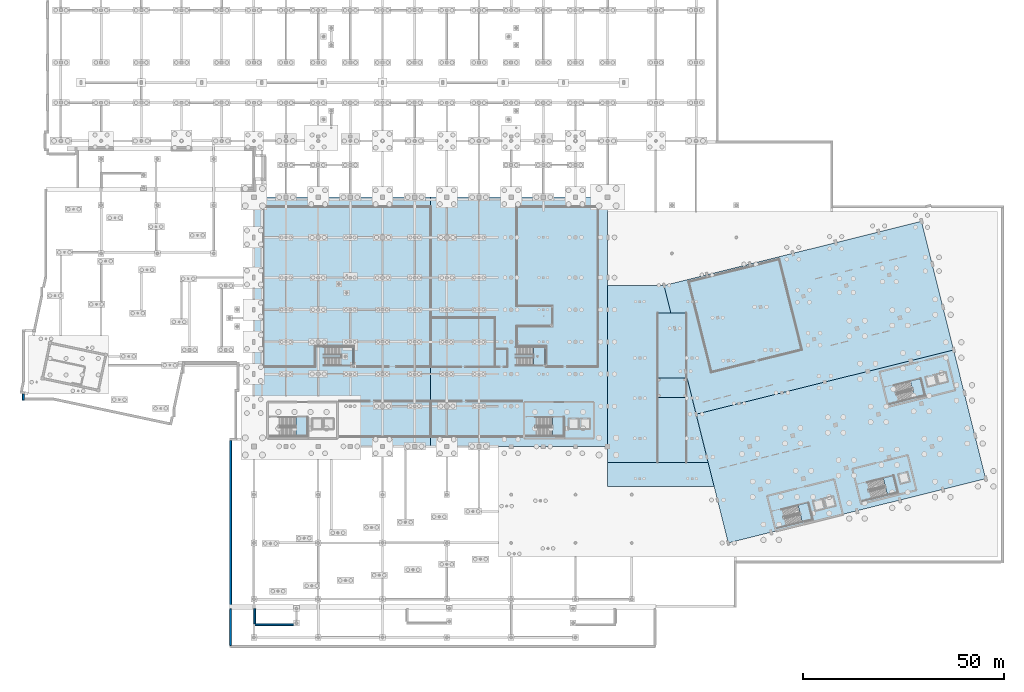
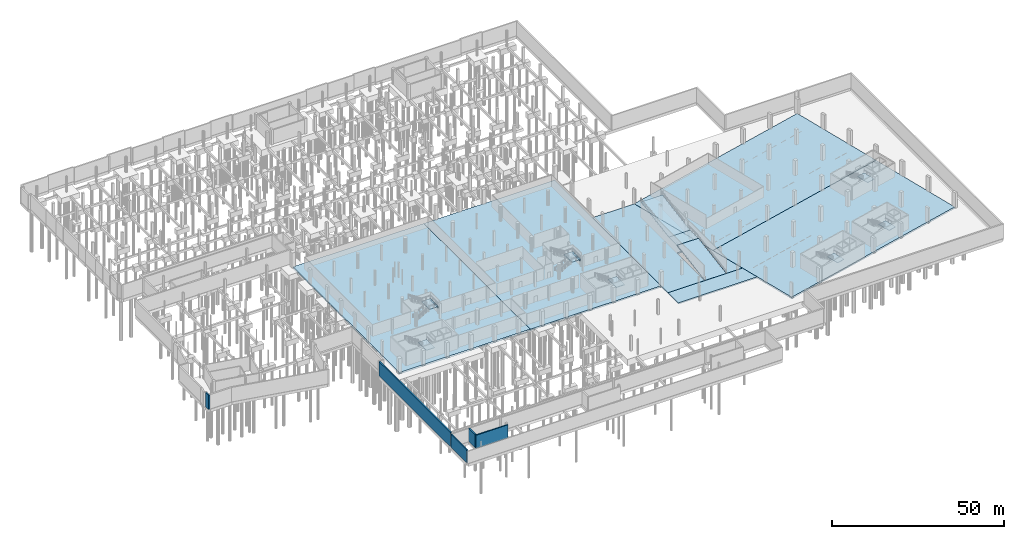
# One storey, part 47 of 65: 16 slabs, 5 walls, 2 beams, 7 elements without a shape of their own.
"""IFC4 building model written with IfcOpenShell, lengths in metres."""

from ifc_helpers import new_model, si_unit, direction, frame, frame_2d, origin, origin_2d, place, context, subcontext, project, spatial, polyline, rectangle, i_section, outline, extrude, material, layer, layer_set, material_profile, profile_set, type_object, element, aggregate, save


model = new_model("IFC4")

# Units and contexts
model_context = context("Model", 3, precision=1e-05, world=origin(), true_north=direction((0.0, 1.0)))
body_context = subcontext(model_context, "Body", "Model", "MODEL_VIEW")
ifc_project = project(units=[si_unit("LENGTHUNIT", "METRE"), si_unit("AREAUNIT", "SQUARE_METRE"), si_unit("VOLUMEUNIT", "CUBIC_METRE"), si_unit("PLANEANGLEUNIT", "RADIAN"), si_unit("MASSUNIT", "GRAM", prefix="KILO")], contexts=[model_context])

# Site, building, storey
site_placement = place(None, origin())
site = spatial("IfcSite", under=ifc_project, at=site_placement, CompositionType="ELEMENT")
building_placement = place(site_placement, origin())
building = spatial("IfcBuilding", under=site, at=building_placement, Name="Khorjan Park Terminus", CompositionType="ELEMENT")
storey_placement = place(building_placement, frame((0.0, 0.0, -5.4)))
storey = spatial("IfcBuildingStorey", under=building, at=storey_placement, Name="B1", CompositionType="ELEMENT", Elevation=-5.4)

# Beams
ifc_material_1 = material(Name="Steel S355", Category="steel")
ifc_material_profile = material_profile(ifc_material_1, i_section(OverallWidth=0.3, OverallDepth=0.39, WebThickness=0.011, FlangeThickness=0.019, FilletRadius=0.027, at=origin_2d()), Name="HEA 400")
ifc_profile_set = profile_set([ifc_material_profile], Name="Steel S355")
beam_type = type_object("IfcBeamType", Name="BM-HEA400", PredefinedType="BEAM", material=ifc_profile_set)
for number, where, z_axis, x_axis, name in (
    (1, (72.65, 46.22, 2.305), (0.0, 1.0, 0.0), (-1.0, 0.0, 0.0), "Stair CS-01 half-landing support beam SB-A40"),
    (2, (120.45, 46.22, 2.305), (0.0, 1.0, 0.0), (-1.0, 0.0, 0.0), "Stair CS-02 half-landing support beam SB-A40"),
):
    element("IfcBeam", number, at=place(storey_placement, frame(where, z_axis=z_axis, x_axis=x_axis)), inside=storey, type_object=beam_type, Name=name, PredefinedType="BEAM", context=body_context, shape_type="SweptSolid", body=[
        extrude(i_section(OverallWidth=0.3, OverallDepth=0.39, WebThickness=0.011, FlangeThickness=0.019, FilletRadius=0.027, at=origin_2d()), origin(), (0.0, 0.0, 1.0), 4.36),
    ])

# Slabs
ifc_material_2 = material(Name="Concrete C40/50", Category="concrete")
ifc_layer_1 = layer(ifc_material_2, 0.48)
ifc_layer_set_1 = layer_set([ifc_layer_1], Name="Concrete C40/50")
slab_type_1 = type_object("IfcSlabType", Name="SL-BASE-480", PredefinedType="BASESLAB", material=ifc_layer_set_1)
slab_1_placement = place(storey_placement, frame((0.0, 0.0, -0.48)))
element("IfcSlab", 3, at=slab_1_placement, inside=storey, type_object=slab_type_1, Name="Structural floor slab BS-48 (B1-V2V5-LNK-1)", PredefinedType="BASESLAB", context=body_context, shape_type="SweptSolid", body=[
    extrude(outline(polyline([(162.4991, 16.0), (136.0, 16.0), (136.0, 21.988), (161.0061, 21.988), (162.4991, 16.0)])), origin(), (0.0, 0.0, 1.0), 0.48),
])
slab_2_placement = place(storey_placement, frame((0.0, 0.0, -0.48)))
element("IfcSlab", 4, at=slab_2_placement, inside=storey, type_object=slab_type_1, Name="Structural floor slab BS-48 (B1-V2V5-LNK-2)", PredefinedType="BASESLAB", context=body_context, shape_type="SweptSolid", body=[
    extrude(outline(polyline([(150.0327, 66.0), (161.0056, 21.99), (155.61, 21.99), (155.61, 38.21), (148.39, 38.21), (148.39, 21.99), (136.0, 21.99), (136.0, 66.0), (150.0327, 66.0)])), origin(), (0.0, 0.0, 1.0), 0.48),
])
ifc_layer_2 = layer(ifc_material_2, 0.54)
ifc_layer_set_2 = layer_set([ifc_layer_2], Name="Concrete C40/50")
slab_type_2 = type_object("IfcSlabType", Name="SL-BASE-540", PredefinedType="BASESLAB", material=ifc_layer_set_2)
slab_3_placement = place(storey_placement, frame((0.0, 0.0, -0.54)))
element("IfcSlab", 5, at=slab_3_placement, inside=storey, type_object=slab_type_2, Name="Structural floor slab BS-54 (B1-V2-E)", PredefinedType="BASESLAB", context=body_context, shape_type="SweptSolid", body=[
    extrude(outline(polyline([(92.0, 26.0), (136.0, 26.0), (136.0, 88.0), (92.0, 88.0), (92.0, 26.0)])), origin(), (0.0, 0.0, 1.0), 0.54),
])
slab_4_placement = place(storey_placement, frame((0.0, 0.0, -0.54)))
element("IfcSlab", 6, at=slab_4_placement, inside=storey, type_object=slab_type_2, Name="Structural floor slab BS-54 (B1-V5-N)", PredefinedType="BASESLAB", context=body_context, shape_type="SweptSolid", body=[
    extrude(outline(polyline([(158.0166, 34.0198), (222.0561, 49.9866), (214.0727, 82.0064), (150.0332, 66.0395), (158.0166, 34.0198)])), origin(), (0.0, 0.0, 1.0), 0.54),
])
ifc_layer_3 = layer(ifc_material_2, 0.6)
ifc_layer_set_3 = layer_set([ifc_layer_3], Name="Concrete C40/50")
slab_type_3 = type_object("IfcSlabType", Name="SL-BASE-600", PredefinedType="BASESLAB", material=ifc_layer_set_3)
slab_5_placement = place(storey_placement, frame((0.0, 0.0, -0.6)))
element("IfcSlab", 7, at=slab_5_placement, inside=storey, type_object=slab_type_3, Name="Structural floor slab BS-60 (B1-V2-W)", PredefinedType="BASESLAB", context=body_context, shape_type="SweptSolid", body=[
    extrude(outline(polyline([(48.0, 26.0), (92.0, 26.0), (92.0, 88.0), (48.0, 88.0), (48.0, 26.0)])), origin(), (0.0, 0.0, 1.0), 0.6),
])
slab_6_placement = place(storey_placement, frame((0.0, 0.0, -0.6)))
element("IfcSlab", 8, at=slab_6_placement, inside=storey, type_object=slab_type_3, Name="Structural floor slab BS-60 (B1-V5-S)", PredefinedType="BASESLAB", context=body_context, shape_type="SweptSolid", body=[
    extrude(outline(polyline([(166.0, 2.0), (230.0395, 17.9668), (222.0561, 49.9866), (158.0166, 34.0198), (166.0, 2.0)])), origin(), (0.0, 0.0, 1.0), 0.6),
])

# Stair, slab
stair_type_1 = type_object("IfcStairType", Name="STR-CORE-220", PredefinedType="HALF_TURN_STAIR", material=ifc_material_2)
stair_1_placement = place(storey_placement, origin())
stair_1 = element("IfcStair", 9, at=stair_1_placement, inside=storey, type_object=stair_type_1, Name="B1 West Concourse Core exit stair ST-01", PredefinedType="HALF_TURN_STAIR")
ifc_layer_4 = layer(ifc_material_2, 0.2)
ifc_layer_set_4 = layer_set([ifc_layer_4], Name="Concrete C40/50")
slab_type_4 = type_object("IfcSlabType", Name="SL-LND-200", PredefinedType="LANDING", material=ifc_layer_set_4)
slab_7_placement = place(storey_placement, frame((0.0, 0.0, 2.5)))
slab_7 = element("IfcSlab", 10, at=slab_7_placement, type_object=slab_type_4, Name="ST-01 landing 1", PredefinedType="LANDING", context=body_context, shape_type="SweptSolid", body=[
    extrude(outline(polyline([(58.52, 28.55), (61.4, 28.55), (61.4, 33.31), (58.52, 33.31), (58.52, 28.55)])), origin(), (0.0, 0.0, 1.0), 0.2),
])
aggregate(stair_1, [slab_7])

stair_2_placement = place(storey_placement, origin())
stair_2 = element("IfcStair", 11, at=stair_2_placement, inside=storey, type_object=stair_type_1, Name="B1 East Concourse Core exit stair ST-02", PredefinedType="HALF_TURN_STAIR")
slab_8_placement = place(storey_placement, frame((0.0, 0.0, 2.5)))
slab_8 = element("IfcSlab", 12, at=slab_8_placement, type_object=slab_type_4, Name="ST-02 landing 1", PredefinedType="LANDING", context=body_context, shape_type="SweptSolid", body=[
    extrude(outline(polyline([(122.32, 28.55), (125.2, 28.55), (125.2, 33.31), (122.32, 33.31), (122.32, 28.55)])), origin(), (0.0, 0.0, 1.0), 0.2),
])
aggregate(stair_2, [slab_8])

stair_type_2 = type_object("IfcStairType", Name="STR-CORE-200", PredefinedType="HALF_TURN_STAIR", material=ifc_material_2)
stair_3_placement = place(storey_placement, origin())
stair_3 = element("IfcStair", 13, at=stair_3_placement, inside=storey, type_object=stair_type_2, Name="B1 Operations West Firefighting Core exit stair ST-03", PredefinedType="HALF_TURN_STAIR")
slab_9_placement = place(storey_placement, frame((0.0, 0.0, 2.5)))
slab_9 = element("IfcSlab", 14, at=slab_9_placement, type_object=slab_type_4, Name="ST-03 landing 1", PredefinedType="LANDING", context=body_context, shape_type="SweptSolid", body=[
    extrude(outline(polyline([(184.419, 7.1591), (187.0194, 7.8075), (185.9646, 12.038), (183.3642, 11.3896), (184.419, 7.1591)])), origin(), (0.0, 0.0, 1.0), 0.2),
])
aggregate(stair_3, [slab_9])

stair_4_placement = place(storey_placement, origin())
stair_4 = element("IfcStair", 15, at=stair_4_placement, inside=storey, type_object=stair_type_2, Name="B1 Operations North-East Firefighting Core exit stair ST-04", PredefinedType="HALF_TURN_STAIR")
slab_10_placement = place(storey_placement, frame((0.0, 0.0, 2.5)))
slab_10 = element("IfcSlab", 16, at=slab_10_placement, type_object=slab_type_4, Name="ST-04 landing 1", PredefinedType="LANDING", context=body_context, shape_type="SweptSolid", body=[
    extrude(outline(polyline([(212.3787, 38.0405), (214.9791, 38.6889), (213.9243, 42.9194), (211.3239, 42.271), (212.3787, 38.0405)])), origin(), (0.0, 0.0, 1.0), 0.2),
])
aggregate(stair_4, [slab_10])

stair_5_placement = place(storey_placement, origin())
stair_5 = element("IfcStair", 17, at=stair_5_placement, inside=storey, type_object=stair_type_2, Name="B1 Operations Central Command Core exit stair ST-05", PredefinedType="HALF_TURN_STAIR")
slab_11_placement = place(storey_placement, frame((0.0, 0.0, 2.5)))
slab_11 = element("IfcSlab", 18, at=slab_11_placement, type_object=slab_type_4, Name="ST-05 landing 1", PredefinedType="LANDING", context=body_context, shape_type="SweptSolid", body=[
    extrude(outline(polyline([(205.6209, 13.8882), (208.2213, 14.5366), (207.1665, 18.7671), (204.5661, 18.1187), (205.6209, 13.8882)])), origin(), (0.0, 0.0, 1.0), 0.2),
])
aggregate(stair_5, [slab_11])

stair_type_3 = type_object("IfcStairType", Name="STR-PUB-200", PredefinedType="HALF_TURN_STAIR", material=ifc_material_2)
stair_6_placement = place(storey_placement, origin())
stair_6 = element("IfcStair", 19, at=stair_6_placement, inside=storey, type_object=stair_type_3, Name="Public passenger half-turn stair CS-01", PredefinedType="HALF_TURN_STAIR")
slab_12_placement = place(storey_placement, frame((0.0, 0.0, 2.5)))
slab_12 = element("IfcSlab", 20, at=slab_12_placement, type_object=slab_type_4, Name="Stair CS-01 intermediate half-landing LS-20", PredefinedType="LANDING", context=body_context, shape_type="SweptSolid", body=[
    extrude(outline(polyline([(69.735, 46.06), (72.78, 46.06), (72.78, 50.74), (69.735, 50.74), (69.735, 46.06)])), origin(), (0.0, 0.0, 1.0), 0.2),
])
aggregate(stair_6, [slab_12])

stair_7_placement = place(storey_placement, origin())
stair_7 = element("IfcStair", 21, at=stair_7_placement, inside=storey, type_object=stair_type_3, Name="Public passenger half-turn stair CS-02", PredefinedType="HALF_TURN_STAIR")
slab_13_placement = place(storey_placement, frame((0.0, 0.0, 2.5)))
slab_13 = element("IfcSlab", 22, at=slab_13_placement, type_object=slab_type_4, Name="Stair CS-02 intermediate half-landing LS-20", PredefinedType="LANDING", context=body_context, shape_type="SweptSolid", body=[
    extrude(outline(polyline([(117.535, 46.06), (120.58, 46.06), (120.58, 50.74), (117.535, 50.74), (117.535, 46.06)])), origin(), (0.0, 0.0, 1.0), 0.2),
])
aggregate(stair_7, [slab_13])

# Slabs
ifc_layer_5 = layer(ifc_material_2, 0.22)
ifc_layer_set_5 = layer_set([ifc_layer_5], Name="Concrete C40/50")
slab_type_5 = type_object("IfcSlabType", Name="SL-LND-220", PredefinedType="LANDING", material=ifc_layer_set_5)
slab_14_placement = place(storey_placement, frame((0.0, 0.0, 2.48)))
element("IfcSlab", 23, at=slab_14_placement, inside=storey, type_object=slab_type_5, Name="Car Park Vehicle Ramp Intermediate Landing Slab LS-22", PredefinedType="LANDING", context=body_context, shape_type="SweptSolid", body=[
    extrude(outline(polyline([(148.4, 38.2), (155.6, 38.2), (155.6, 43.0), (148.4, 43.0), (148.4, 38.2)])), origin(), (0.0, 0.0, 1.0), 0.22),
])
ifc_layer_6 = layer(ifc_material_2, 0.3)
ifc_layer_set_6 = layer_set([ifc_layer_6], Name="Concrete C40/50")
slab_type_6 = type_object("IfcSlabType", Name="SL-RMP-300", PredefinedType="FLOOR", material=ifc_layer_set_6)
for number, where, z_axis, x_axis, name in (
    (24, (148.4, 22.0, 0.0), (0.0, -0.164398987305, 0.986393923832), (1.0, 0.0, 0.0), "Car Park Vehicle Ramp Slab VR-01 (Lower)"),
    (25, (148.4, 43.0, 2.7), (0.0, -0.164398987305, 0.986393923832), (1.0, 0.0, 0.0), "Car Park Vehicle Ramp Slab VR-01 (Upper)"),
):
    element("IfcSlab", number, at=place(storey_placement, frame(where, z_axis=z_axis, x_axis=x_axis)), inside=storey, type_object=slab_type_6, Name=name, PredefinedType="FLOOR", context=body_context, shape_type="SweptSolid", body=[
        extrude(outline(polyline([(0.0, 0.0), (7.199999999999989, 0.0), (7.199999999999989, 16.4234588318052), (0.0, 16.4234588318052), (0.0, 0.0)])), origin(), (0.0, 0.0, -1.0), 0.3),
    ])

# Walls
ifc_layer_7 = layer(ifc_material_2, 0.42)
ifc_layer_set_7 = layer_set([ifc_layer_7], Name="Concrete C40/50")
wall_type_1 = type_object("IfcWallType", Name="RW-42", PredefinedType="SOLIDWALL", material=ifc_layer_set_7)
wall_1_placement = place(storey_placement, frame((42.21, -23.58, 0.0), z_axis=(0.0, 0.0, 1.0), x_axis=(0.0, 1.0, 0.0)))
element("IfcWall", 26, at=wall_1_placement, inside=storey, type_object=wall_type_1, Name="Grade approach concrete retaining wall RW-42 (76)", PredefinedType="SOLIDWALL", context=body_context, shape_type="SweptSolid", body=[
    extrude(rectangle(XDim=9.14, YDim=0.42, at=frame_2d((4.57, 0.0))), origin(), (0.0, 0.0, 1.0), 4.68),
])
wall_2_placement = place(storey_placement, frame((48.0, -18.35, 0.0), z_axis=(0.0, 0.0, 1.0), x_axis=(1.0, 0.0, 0.0)))
element("IfcWall", 27, at=wall_2_placement, inside=storey, type_object=wall_type_1, Name="Ramp foundation stem wall RW-42 (GRMP-S-W-S)", PredefinedType="SOLIDWALL", context=body_context, shape_type="SweptSolid", body=[
    extrude(rectangle(XDim=10.79, YDim=0.42, at=frame_2d((5.395, 0.0))), origin(), (0.0, 0.0, 1.0), 4.68),
])
wall_3_placement = place(storey_placement, frame((48.21, -18.13, 0.0), z_axis=(0.0, 0.0, 1.0), x_axis=(0.0, 1.0, 0.0)))
element("IfcWall", 28, at=wall_3_placement, inside=storey, type_object=wall_type_1, Name="Ramp toe bearing foundation wall RW-42 (GRMP-S-W)", PredefinedType="SOLIDWALL", context=body_context, shape_type="SweptSolid", body=[
    extrude(rectangle(XDim=3.78, YDim=0.42, at=frame_2d((1.89, 0.0))), origin(), (0.0, 0.0, 1.0), 4.68),
])
ifc_layer_8 = layer(ifc_material_2, 0.48)
ifc_layer_set_8 = layer_set([ifc_layer_8], Name="Concrete C40/50")
wall_type_2 = type_object("IfcWallType", Name="RW-48", PredefinedType="SOLIDWALL", material=ifc_layer_set_8)
wall_4_placement = place(storey_placement, frame((42.24, -14.0, 0.0), z_axis=(0.0, 0.0, 1.0), x_axis=(0.0, 1.0, 0.0)))
element("IfcWall", 29, at=wall_4_placement, inside=storey, type_object=wall_type_2, Name="Perimeter substructure concrete retaining wall RW-48 (60)", PredefinedType="SOLIDWALL", context=body_context, shape_type="SweptSolid", body=[
    extrude(rectangle(XDim=41.52, YDim=0.48, at=frame_2d((20.76, 0.0))), origin(), (0.0, 0.0, 1.0), 5.12),
])
wall_5_placement = place(storey_placement, frame((-9.342, 37.517, 0.0), z_axis=(0.0, 0.0, 1.0), x_axis=(0.0, 1.0, 0.0)))
element("IfcWall", 30, at=wall_5_placement, inside=storey, type_object=wall_type_2, Name="Perimeter substructure concrete retaining wall RW-48 (73)", PredefinedType="SOLIDWALL", context=body_context, shape_type="SweptSolid", body=[
    extrude(rectangle(XDim=1.5642, YDim=0.48, at=frame_2d((0.7821, 0.0))), origin(), (0.0, 0.0, 1.0), 5.12),
])

save(model, "model.ifc")
